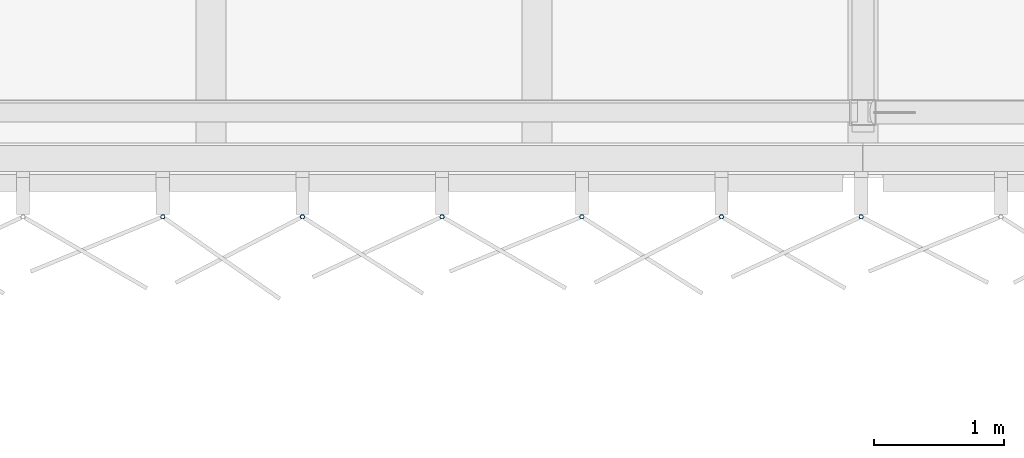
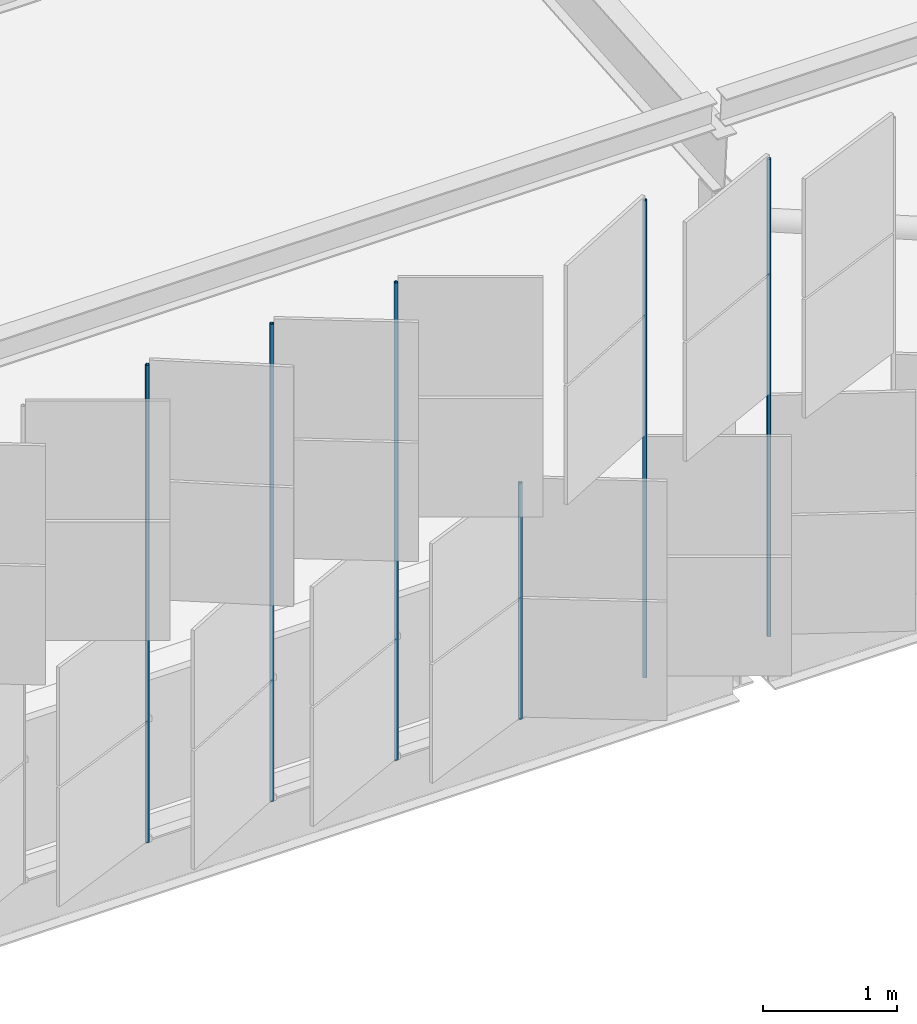
# One storey, part 138 of 483: 6 discrete accessories.
"""IFC4 building model written with IfcOpenShell, lengths in metres."""

from ifc_helpers import new_model, si_unit, direction, frame, origin, origin_2d, place, context, subcontext, project, spatial, hollow_circle, extrude, material, material_profile, profile_set, type_object, element, save


model = new_model("IFC4")

# Units and contexts
model_context = context("Model", 3, precision=1e-05, world=origin(), true_north=direction((0.0, 1.0)))
body_context = subcontext(model_context, "Body", "Model", "MODEL_VIEW")
ifc_project = project(units=[si_unit("LENGTHUNIT", "METRE"), si_unit("AREAUNIT", "SQUARE_METRE"), si_unit("VOLUMEUNIT", "CUBIC_METRE"), si_unit("PLANEANGLEUNIT", "RADIAN"), si_unit("MASSUNIT", "GRAM", prefix="KILO")], contexts=[model_context])

# Site, building, storey
site_placement = place(None, origin())
site = spatial("IfcSite", under=ifc_project, at=site_placement, CompositionType="ELEMENT")
building_placement = place(site_placement, origin())
building = spatial("IfcBuilding", under=site, at=building_placement, Name="Parallax Yard Mobility Hub", CompositionType="ELEMENT")
storey_placement = place(building_placement, frame((0.0, 0.0, 13.199951171875)))
storey = spatial("IfcBuildingStorey", under=building, at=storey_placement, Name="L04", CompositionType="ELEMENT", Elevation=13.199951171875)

# Discrete accessories
ifc_material = material(Name="Steel ASTM A500 Gr C, hot-dip galvanised", Category="steel")
ifc_material_profile = material_profile(ifc_material, hollow_circle(Radius=0.016845703125, WallThickness=0.003173828125, at=origin_2d()), Name="CHS 33.7x3.2")
ifc_profile_set = profile_set([ifc_material_profile], Name="Steel ASTM A500 Gr C, hot-dip galvanised")
discrete_accessory_type = type_object("IfcDiscreteAccessoryType", Name="Hinge post CHS 33.7x3.2", PredefinedType="BRACKET", material=ifc_profile_set)
for number, where, z_axis, x_axis, name in (
    (1, (47.12939453125, 112.199951171875, 0.0), (0.0, 0.0, 1.0), (1.0, 0.0, 0.0), "Hinge post bay 3.3 level L04"),
    (2, (48.20068359375, 112.199951171875, 0.0), (0.0, 0.0, 1.0), (1.0, 0.0, 0.0), "Hinge post bay 3.4 level L04"),
    (3, (49.272216796875, 112.199951171875, 0.0), (0.0, 0.0, 1.0), (1.0, 0.0, 0.0), "Hinge post bay 3.5 level L04"),
):
    element("IfcDiscreteAccessory", number, at=place(storey_placement, frame(where, z_axis=z_axis, x_axis=x_axis)), inside=storey, type_object=discrete_accessory_type, Name=name, PredefinedType="BRACKET", context=body_context, shape_type="SweptSolid", body=[
        extrude(hollow_circle(Radius=0.016845703125, WallThickness=0.003173828125, at=origin_2d()), origin(), (0.0, 0.0, 1.0), 4.35009765625),
    ])
discrete_accessory_placement = place(storey_placement, frame((50.34375, 112.199951171875, 0.0), z_axis=(0.0, 0.0, 1.0), x_axis=(1.0, 0.0, 0.0)))
element("IfcDiscreteAccessory", 4, at=discrete_accessory_placement, inside=storey, type_object=discrete_accessory_type, Name="Hinge post bay 3.6 level L04", PredefinedType="BRACKET", context=body_context, shape_type="SweptSolid", body=[
    extrude(hollow_circle(Radius=0.016845703125, WallThickness=0.003173828125, at=origin_2d()), origin(), (0.0, 0.0, 1.0), 2.150146484375),
])
for number, where, z_axis, x_axis, name in (
    (5, (51.415283203125, 112.199951171875, 0.0), (0.0, 0.0, 1.0), (1.0, 0.0, 0.0), "Hinge post bay 3.7 level L04"),
    (6, (52.48681640625, 112.199951171875, 0.0), (0.0, 0.0, 1.0), (1.0, 0.0, 0.0), "Hinge post bay 4.1 level L04"),
):
    element("IfcDiscreteAccessory", number, at=place(storey_placement, frame(where, z_axis=z_axis, x_axis=x_axis)), inside=storey, type_object=discrete_accessory_type, Name=name, PredefinedType="BRACKET", context=body_context, shape_type="SweptSolid", body=[
        extrude(hollow_circle(Radius=0.016845703125, WallThickness=0.003173828125, at=origin_2d()), origin(), (0.0, 0.0, 1.0), 4.35009765625),
    ])

save(model, "model.ifc")
